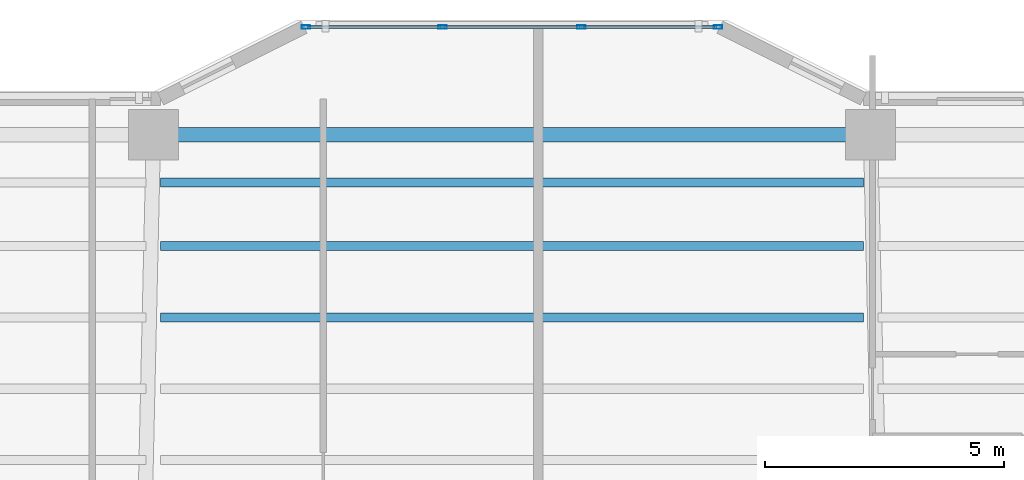
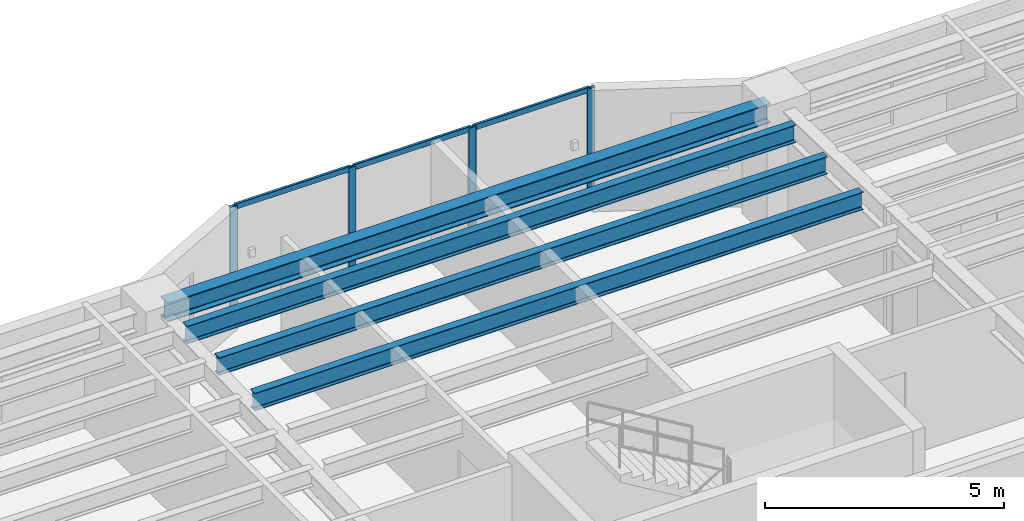
# One storey, part 4 of 18: 10 members, 4 beams, 1 element without a shape of its own.
"""IFC4 building model written with IfcOpenShell, lengths in metres."""

from ifc_helpers import new_model, si_unit, direction, frame, origin, origin_2d, place, context, subcontext, project, spatial, hollow_rectangle, i_section, extrude, material, layer, layer_set, material_profile, profile_set, type_object, element, aggregate, save


model = new_model("IFC4")

# Units and contexts
model_context = context("Model", 3, precision=1e-05, world=origin(), true_north=direction((0.0, 1.0)))
body_context = subcontext(model_context, "Body", "Model", "MODEL_VIEW")
ifc_project = project(units=[si_unit("LENGTHUNIT", "METRE"), si_unit("AREAUNIT", "SQUARE_METRE"), si_unit("VOLUMEUNIT", "CUBIC_METRE"), si_unit("PLANEANGLEUNIT", "RADIAN"), si_unit("MASSUNIT", "GRAM", prefix="KILO")], contexts=[model_context])

# Site, building, storey
site_placement = place(None, origin())
site = spatial("IfcSite", under=ifc_project, at=site_placement, CompositionType="ELEMENT")
building_placement = place(site_placement, origin())
building = spatial("IfcBuilding", under=site, at=building_placement, Name="Tarnavaz Court Tower", CompositionType="ELEMENT")
storey_placement = place(building_placement, frame((0.0, 0.0, 85.0)))
storey = spatial("IfcBuildingStorey", under=building, at=storey_placement, Name="L22", CompositionType="ELEMENT", Elevation=85.0)

# Beams
ifc_material_1 = material(Name="Steel S355", Category="steel")
ifc_material_profile_1 = material_profile(ifc_material_1, i_section(OverallWidth=0.18994140625, OverallDepth=0.449951171875, WebThickness=0.009521484375, FlangeThickness=0.0146484375, FilletRadius=0.02099609375, at=origin_2d()), Name="IPE 450")
ifc_profile_set_1 = profile_set([ifc_material_profile_1], Name="Steel S355")
beam_type_1 = type_object("IfcBeamType", Name="BM-J-IPE450", PredefinedType="JOIST", material=ifc_profile_set_1)
for number, where, z_axis, x_axis, name in (
    (1, (-7.35009765625, 17.48193359375, 2.875), (1.0, 0.0, 0.0), (0.0, 1.0, 0.0), "L22 Beam JN3-2"),
    (2, (-7.35009765625, 18.97607421875, 2.875), (1.0, 0.0, 0.0), (0.0, 1.0, 0.0), "L22 Beam JN4-2"),
    (3, (-7.35009765625, 20.303955078125, 2.875), (1.0, 0.0, 0.0), (0.0, 1.0, 0.0), "L22 Beam JN5-2"),
):
    element("IfcBeam", number, at=place(storey_placement, frame(where, z_axis=z_axis, x_axis=x_axis)), inside=storey, type_object=beam_type_1, Name=name, PredefinedType="JOIST", context=body_context, shape_type="SweptSolid", body=[
        extrude(i_section(OverallWidth=0.18994140625, OverallDepth=0.449951171875, WebThickness=0.009521484375, FlangeThickness=0.0146484375, FilletRadius=0.02099609375, at=origin_2d()), origin(), (0.0, 0.0, 1.0), 14.7001953125),
    ])
ifc_material_profile_2 = material_profile(ifc_material_1, i_section(OverallWidth=0.300048828125, OverallDepth=0.489990234375, WebThickness=0.011962890625, FlangeThickness=0.02294921875, FilletRadius=0.027099609375, at=origin_2d()), Name="HEA 500")
ifc_profile_set_2 = profile_set([ifc_material_profile_2], Name="Steel S355")
beam_type_2 = type_object("IfcBeamType", Name="BM-SP-HEA500", PredefinedType="SPANDREL", material=ifc_profile_set_2)
beam_placement = place(storey_placement, frame((-7.280029296875, 21.300048828125, 2.85498046875), z_axis=(1.0, 0.0, 0.0), x_axis=(0.0, 1.0, 0.0)))
element("IfcBeam", 4, at=beam_placement, inside=storey, type_object=beam_type_2, Name="L22 Beam PR-PN-2-PN-3", PredefinedType="SPANDREL", context=body_context, shape_type="SweptSolid", body=[
    extrude(i_section(OverallWidth=0.300048828125, OverallDepth=0.489990234375, WebThickness=0.011962890625, FlangeThickness=0.02294921875, FilletRadius=0.027099609375, at=origin_2d()), origin(), (0.0, 0.0, 1.0), 14.56005859375),
])

# Curtain wall, members
ifc_material_2 = material(Name="Anodised Aluminium 6063-T6 and Solar Low-E Glazing", Category="aluminium")
ifc_layer = layer(ifc_material_2, 0.179931640625)
ifc_layer_set = layer_set([ifc_layer], Name="Anodised Aluminium 6063-T6 and Solar Low-E Glazing")
curtain_wall_type = type_object("IfcCurtainWallType", Name="CW-SYS-02", PredefinedType="NOTDEFINED", material=ifc_layer_set)
curtain_wall_placement = place(storey_placement, origin())
curtain_wall = element("IfcCurtainWall", 5, at=curtain_wall_placement, inside=storey, type_object=curtain_wall_type, Name="L22 Iwan Prow Curtain Wall 7", PredefinedType="NOTDEFINED")
ifc_material_3 = material(Name="Anodised Aluminium 6063-T6", Category="aluminium")
ifc_material_profile_3 = material_profile(ifc_material_3, hollow_rectangle(XDim=0.074951171875, YDim=0.179931640625, WallThickness=0.0048828125, InnerFilletRadius=0.0048828125, OuterFilletRadius=0.010009765625, at=origin_2d()), Name="ALU RHS 180X75X5")
ifc_profile_set_3 = profile_set([ifc_material_profile_3], Name="Anodised Aluminium 6063-T6")
member_type_1 = type_object("IfcMemberType", Name="CW-MUL-180", PredefinedType="MULLION", material=ifc_profile_set_3)
member_1_placement = place(storey_placement, frame((-4.3125, 23.550048828125, 0.0), z_axis=(0.0, 0.0, 1.0), x_axis=(0.0, 1.0, 0.0)))
member_1 = element("IfcMember", 6, at=member_1_placement, type_object=member_type_1, Name="CW mullion 1", PredefinedType="MULLION", context=body_context, shape_type="SweptSolid", body=[
    extrude(hollow_rectangle(XDim=0.074951171875, YDim=0.179931640625, WallThickness=0.0048828125, InnerFilletRadius=0.0048828125, OuterFilletRadius=0.010009765625, at=origin_2d()), origin(), (0.0, 0.0, 1.0), 3.10009765625),
])
member_2_placement = place(storey_placement, frame((-1.449951171875, 23.550048828125, 0.0), z_axis=(0.0, 0.0, 1.0), x_axis=(0.0, 1.0, 0.0)))
member_2 = element("IfcMember", 7, at=member_2_placement, type_object=member_type_1, Name="CW mullion 2", PredefinedType="MULLION", context=body_context, shape_type="SweptSolid", body=[
    extrude(hollow_rectangle(XDim=0.074951171875, YDim=0.179931640625, WallThickness=0.0048828125, InnerFilletRadius=0.0048828125, OuterFilletRadius=0.010009765625, at=origin_2d()), origin(), (0.0, 0.0, 1.0), 3.10009765625),
])
member_3_placement = place(storey_placement, frame((1.449951171875, 23.550048828125, 0.0), z_axis=(0.0, 0.0, 1.0), x_axis=(0.0, 1.0, 0.0)))
member_3 = element("IfcMember", 8, at=member_3_placement, type_object=member_type_1, Name="CW mullion 3", PredefinedType="MULLION", context=body_context, shape_type="SweptSolid", body=[
    extrude(hollow_rectangle(XDim=0.074951171875, YDim=0.179931640625, WallThickness=0.0048828125, InnerFilletRadius=0.0048828125, OuterFilletRadius=0.010009765625, at=origin_2d()), origin(), (0.0, 0.0, 1.0), 3.10009765625),
])
member_4_placement = place(storey_placement, frame((4.3125, 23.550048828125, 0.0), z_axis=(0.0, 0.0, 1.0), x_axis=(0.0, 1.0, 0.0)))
member_4 = element("IfcMember", 9, at=member_4_placement, type_object=member_type_1, Name="CW mullion 4", PredefinedType="MULLION", context=body_context, shape_type="SweptSolid", body=[
    extrude(hollow_rectangle(XDim=0.074951171875, YDim=0.179931640625, WallThickness=0.0048828125, InnerFilletRadius=0.0048828125, OuterFilletRadius=0.010009765625, at=origin_2d()), origin(), (0.0, 0.0, 1.0), 3.10009765625),
])
ifc_material_profile_4 = material_profile(ifc_material_3, hollow_rectangle(XDim=0.06494140625, YDim=0.139892578125, WallThickness=0.00390625, InnerFilletRadius=0.00390625, OuterFilletRadius=0.008056640625, at=origin_2d()), Name="ALU RHS 140X65X4")
ifc_profile_set_4 = profile_set([ifc_material_profile_4], Name="Anodised Aluminium 6063-T6")
member_type_2 = type_object("IfcMemberType", Name="CW-TRN-140", PredefinedType="USERDEFINED", material=ifc_profile_set_4)
member_5_placement = place(storey_placement, frame((-4.27490234375, 23.550048828125, 0.032470703125), z_axis=(1.0, 0.0, 0.0), x_axis=(0.0, 1.0, 0.0)))
member_5 = element("IfcMember", 10, at=member_5_placement, type_object=member_type_2, Name="CW transom 1.1", ObjectType="TRANSOM", PredefinedType="USERDEFINED", context=body_context, shape_type="SweptSolid", body=[
    extrude(hollow_rectangle(XDim=0.06494140625, YDim=0.139892578125, WallThickness=0.00390625, InnerFilletRadius=0.00390625, OuterFilletRadius=0.008056640625, at=origin_2d()), origin(), (0.0, 0.0, 1.0), 2.787353515625),
])
member_6_placement = place(storey_placement, frame((-4.27490234375, 23.550048828125, 3.0673828125), z_axis=(1.0, 0.0, 0.0), x_axis=(0.0, 1.0, 0.0)))
member_6 = element("IfcMember", 11, at=member_6_placement, type_object=member_type_2, Name="CW transom 1.2", ObjectType="TRANSOM", PredefinedType="USERDEFINED", context=body_context, shape_type="SweptSolid", body=[
    extrude(hollow_rectangle(XDim=0.06494140625, YDim=0.139892578125, WallThickness=0.00390625, InnerFilletRadius=0.00390625, OuterFilletRadius=0.008056640625, at=origin_2d()), origin(), (0.0, 0.0, 1.0), 2.787353515625),
])
member_7_placement = place(storey_placement, frame((-1.41259765625, 23.550048828125, 0.032470703125), z_axis=(1.0, 0.0, 0.0), x_axis=(0.0, 1.0, 0.0)))
member_7 = element("IfcMember", 12, at=member_7_placement, type_object=member_type_2, Name="CW transom 2.1", ObjectType="TRANSOM", PredefinedType="USERDEFINED", context=body_context, shape_type="SweptSolid", body=[
    extrude(hollow_rectangle(XDim=0.06494140625, YDim=0.139892578125, WallThickness=0.00390625, InnerFilletRadius=0.00390625, OuterFilletRadius=0.008056640625, at=origin_2d()), origin(), (0.0, 0.0, 1.0), 2.8251953125),
])
member_8_placement = place(storey_placement, frame((-1.41259765625, 23.550048828125, 3.0673828125), z_axis=(1.0, 0.0, 0.0), x_axis=(0.0, 1.0, 0.0)))
member_8 = element("IfcMember", 13, at=member_8_placement, type_object=member_type_2, Name="CW transom 2.2", ObjectType="TRANSOM", PredefinedType="USERDEFINED", context=body_context, shape_type="SweptSolid", body=[
    extrude(hollow_rectangle(XDim=0.06494140625, YDim=0.139892578125, WallThickness=0.00390625, InnerFilletRadius=0.00390625, OuterFilletRadius=0.008056640625, at=origin_2d()), origin(), (0.0, 0.0, 1.0), 2.8251953125),
])
member_9_placement = place(storey_placement, frame((1.487548828125, 23.550048828125, 0.032470703125), z_axis=(1.0, 0.0, 0.0), x_axis=(0.0, 1.0, 0.0)))
member_9 = element("IfcMember", 14, at=member_9_placement, type_object=member_type_2, Name="CW transom 3.1", ObjectType="TRANSOM", PredefinedType="USERDEFINED", context=body_context, shape_type="SweptSolid", body=[
    extrude(hollow_rectangle(XDim=0.06494140625, YDim=0.139892578125, WallThickness=0.00390625, InnerFilletRadius=0.00390625, OuterFilletRadius=0.008056640625, at=origin_2d()), origin(), (0.0, 0.0, 1.0), 2.787353515625),
])
member_10_placement = place(storey_placement, frame((1.487548828125, 23.550048828125, 3.0673828125), z_axis=(1.0, 0.0, 0.0), x_axis=(0.0, 1.0, 0.0)))
member_10 = element("IfcMember", 15, at=member_10_placement, type_object=member_type_2, Name="CW transom 3.2", ObjectType="TRANSOM", PredefinedType="USERDEFINED", context=body_context, shape_type="SweptSolid", body=[
    extrude(hollow_rectangle(XDim=0.06494140625, YDim=0.139892578125, WallThickness=0.00390625, InnerFilletRadius=0.00390625, OuterFilletRadius=0.008056640625, at=origin_2d()), origin(), (0.0, 0.0, 1.0), 2.787353515625),
])
aggregate(curtain_wall, [member_1, member_2, member_3, member_4, member_5, member_6, member_7, member_8, member_9, member_10])

save(model, "model.ifc")
